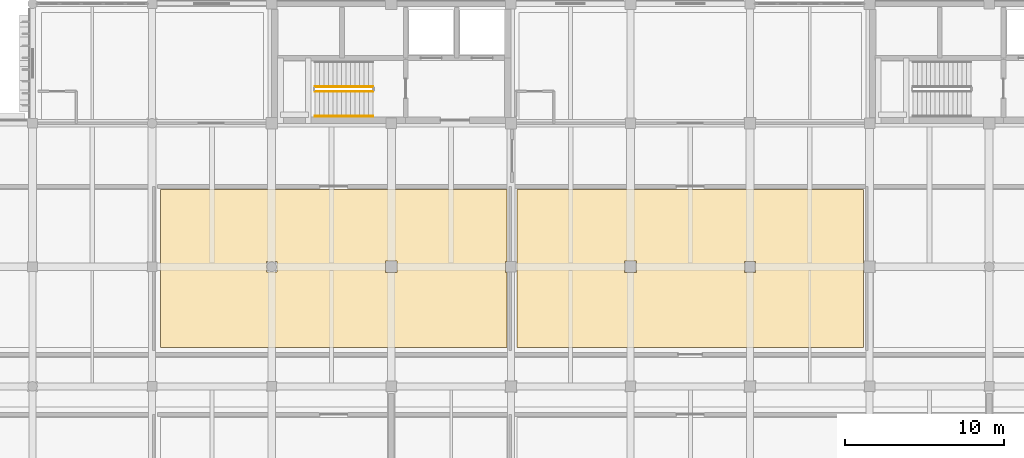
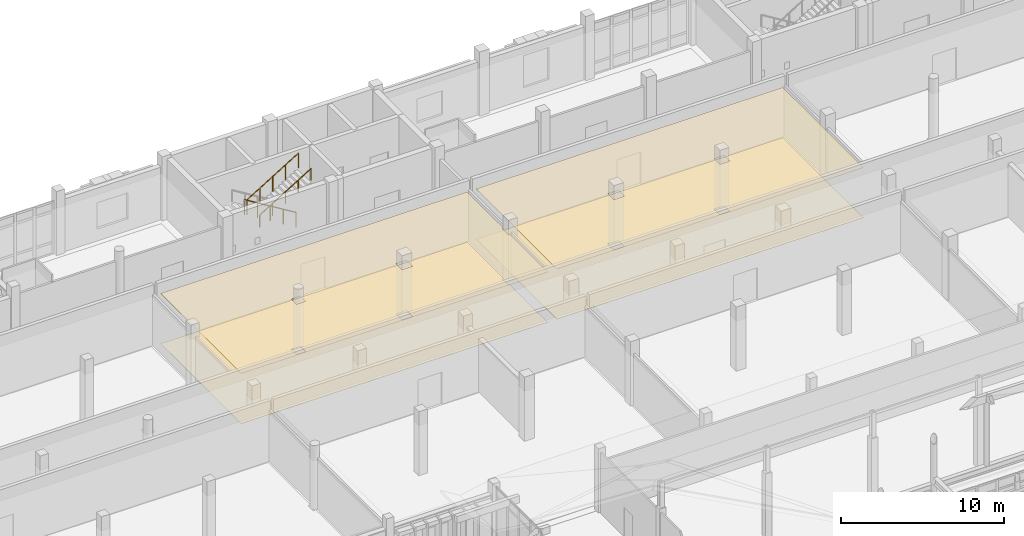
# One storey, part 124 of 131: 4 coverings, 3 railings.
"""IFC4 building model written with IfcOpenShell, lengths in metres."""

import ifcopenshell
import ifcopenshell.guid

model = None  # the IFC model being written
_history = None  # IfcOwnerHistory: only IFC2X3 demands one
_inside = {}  # id of a spatial element -> (the spatial element, [elements in it])
_under = {}  # id of a project, library or spatial element -> (it, [spatial elements below it])
_declared = {}  # id of a project -> (the project, [libraries it declares])
_typed = {}  # id of a type object -> (the type object, [elements of that type])
_made_of = {}  # id of a material, layer set ... -> (it, [elements and type objects made of it])


def new_model(schema):
    """Start an empty IFC model of exactly this schema.

    Asked for "IFC4X3", IfcOpenShell would pick the latest addendum, in which some entities
    have other attributes; the version numbers below select the first issue.
    IFC2X3 requires an IfcOwnerHistory on every rooted entity: one is made here for all.
    """
    global model, _history
    if schema == "IFC4X3":
        model = ifcopenshell.file(schema_version=(4, 3, 0, 0))
    else:
        model = ifcopenshell.file(schema=schema)
    _inside.clear()
    _under.clear()
    _declared.clear()
    _typed.clear()
    _made_of.clear()
    _history = None
    if model.schema == "IFC2X3":
        org = make("IfcOrganization", Name="unknown")
        user = make(
            "IfcPersonAndOrganization",
            ThePerson=make("IfcPerson", FamilyName="unknown"),
            TheOrganization=org,
        )
        app = make(
            "IfcApplication",
            ApplicationDeveloper=org,
            Version="unknown",
            ApplicationFullName="unknown",
            ApplicationIdentifier="unknown",
        )
        _history = make(
            "IfcOwnerHistory",
            OwningUser=user,
            OwningApplication=app,
            ChangeAction="ADDED",
            CreationDate=0,
        )
    return model


def make(cls, **values):
    """One entity of the class cls with the attributes given. An attribute that is None is left unset."""
    return model.create_entity(
        cls, **{name: value for name, value in values.items() if value is not None}
    )


def rooted(cls, **values):
    """An entity with a GlobalId (a new one), such as an element, a storey or a relation."""
    return make(cls, GlobalId=ifcopenshell.guid.new(), OwnerHistory=_history, **values)


def si_unit(unit_type, name, prefix=None):
    """IfcSIUnit, for example si_unit("LENGTHUNIT", "METRE", prefix="MILLI")."""
    return make("IfcSIUnit", UnitType=unit_type, Prefix=prefix, Name=name)


def assignment(units):
    """IfcUnitAssignment: the units of a project."""
    return None if units is None else make("IfcUnitAssignment", Units=units)


def point(xyz):
    """IfcCartesianPoint."""
    return None if xyz is None else make("IfcCartesianPoint", Coordinates=xyz)


def direction(xyz):
    """IfcDirection."""
    return None if xyz is None else make("IfcDirection", DirectionRatios=xyz)


def frame(location, z_axis=None, x_axis=None):
    """IfcAxis2Placement3D, a coordinate frame: its origin and axes. An axis left out is left unset."""
    return make(
        "IfcAxis2Placement3D",
        Location=point(location),
        Axis=direction(z_axis),
        RefDirection=direction(x_axis),
    )


def frame_2d(location, x_axis=None):
    """IfcAxis2Placement2D, a coordinate frame in the plane: its origin and x axis."""
    return make(
        "IfcAxis2Placement2D", Location=point(location), RefDirection=direction(x_axis)
    )


def origin():
    """The frame at (0, 0, 0) with its axes left unset."""
    return frame((0.0, 0.0, 0.0))


def origin_2d():
    """The frame at (0, 0) in the plane with its x axis left unset."""
    return frame_2d((0.0, 0.0))


def place(relative_to, where):
    """IfcLocalPlacement: puts the frame where relative to a parent placement (None: the world)."""
    return make(
        "IfcLocalPlacement", PlacementRelTo=relative_to, RelativePlacement=where
    )


def context(
    kind, dimensions, precision=None, world=None, true_north=None, identifier=None
):
    """IfcGeometricRepresentationContext, for example the 3D "Model" context."""
    return make(
        "IfcGeometricRepresentationContext",
        ContextIdentifier=identifier,
        ContextType=kind,
        CoordinateSpaceDimension=dimensions,
        Precision=precision,
        WorldCoordinateSystem=world,
        TrueNorth=true_north,
    )


def subcontext(parent, identifier, kind, view, scale=None):
    """IfcGeometricRepresentationSubContext, for example "Body" below "Model"."""
    return make(
        "IfcGeometricRepresentationSubContext",
        ContextIdentifier=identifier,
        ContextType=kind,
        ParentContext=parent,
        TargetScale=scale,
        TargetView=view,
    )


def project(units=None, contexts=None):
    """IfcProject with its units and contexts."""
    return rooted(
        "IfcProject",
        Name="project",
        RepresentationContexts=contexts,
        UnitsInContext=assignment(units),
    )


def spatial(cls, under=None, at=None, **own):
    """A site, building, storey or space (cls), placed at a placement, below another one or the project."""
    s = rooted(cls, ObjectPlacement=at, **own)
    if under is not None:
        _under.setdefault(under.id(), (under, []))[1].append(s)
    return s


def polyline(points):
    """IfcPolyline through the points."""
    return make("IfcPolyline", Points=[point(p) for p in points])


def profile(cls, at=None, kind="AREA", **sizes):
    """A parametric profile (cls). Its sizes go by their IFC names, for example OverallWidth=200.0."""
    return make(cls, ProfileType=kind, Position=at, **sizes)


def circle(**sizes):
    """IfcCircleProfileDef."""
    return profile("IfcCircleProfileDef", **sizes)


def outline(outer, holes=None, kind="AREA"):
    """IfcArbitraryClosedProfileDef: a profile drawn as a closed curve; with holes, ...WithVoids."""
    if holes is None:
        return make("IfcArbitraryClosedProfileDef", ProfileType=kind, OuterCurve=outer)
    return make(
        "IfcArbitraryProfileDefWithVoids",
        ProfileType=kind,
        OuterCurve=outer,
        InnerCurves=holes,
    )


def extrude(swept, where, along, depth):
    """IfcExtrudedAreaSolid: the profile swept, set in the frame where, extruded along a direction by depth."""
    return make(
        "IfcExtrudedAreaSolid",
        SweptArea=swept,
        Position=where,
        ExtrudedDirection=direction(along),
        Depth=depth,
    )


def shape(context_of_items, identifier, shape_type, items):
    """IfcShapeRepresentation: the items that make up one representation, for example the "Body"."""
    return make(
        "IfcShapeRepresentation",
        ContextOfItems=context_of_items,
        RepresentationIdentifier=identifier,
        RepresentationType=shape_type,
        Items=items,
    )


def material(Name=None, Category=None):
    """IfcMaterial."""
    return make("IfcMaterial", Name=Name, Category=Category)


def layer(
    of_material, thickness, ventilated=None, Name=None, Category=None, Priority=None
):
    """IfcMaterialLayer: one layer of a wall or slab, of a material (None: an air gap)."""
    return make(
        "IfcMaterialLayer",
        Material=of_material,
        LayerThickness=thickness,
        IsVentilated=ventilated,
        Name=Name,
        Category=Category,
        Priority=Priority,
    )


def layer_set(layers, Name=None):
    """IfcMaterialLayerSet."""
    return make("IfcMaterialLayerSet", MaterialLayers=layers, LayerSetName=Name)


def made_of(thing, what):
    """Note that an element or type object is made of a material, layer set ...; save() writes the relation."""
    if what is not None:
        _made_of.setdefault(what.id(), (what, []))[1].append(thing)
    return thing


def type_object(cls, material=None, **own):
    """A type object (cls), such as IfcWallType, which elements share."""
    return made_of(rooted(cls, **own), material)


def element(
    cls,
    number,
    at=None,
    inside=None,
    cuts=None,
    type_object=None,
    material=None,
    context=None,
    identifier="Body",
    shape_type=None,
    held_by="IfcProductDefinitionShape",
    body=None,
    shapes=None,
    **own,
):
    """One element of the class cls, such as IfcWall. Its Tag is "e" and its number.

    at: its placement. inside: the storey or other place that contains it. cuts: it is an
    opening in that element (IfcRelVoidsElement). A single representation is given by context,
    identifier, shape_type and body (its items); several are given by shapes. held_by: the class
    of the entity that holds the representations. save() writes the other relations.
    """
    e = rooted(cls, Tag="e%d" % number, ObjectPlacement=at, **own)
    if body is not None:
        shapes = [shape(context, identifier, shape_type, body)]
    if shapes is not None:
        e.Representation = make(held_by, Representations=shapes)
    if inside is not None:
        _inside.setdefault(inside.id(), (inside, []))[1].append(e)
    if cuts is not None:
        rooted(
            "IfcRelVoidsElement", RelatingBuildingElement=cuts, RelatedOpeningElement=e
        )
    if type_object is not None:
        _typed.setdefault(type_object.id(), (type_object, []))[1].append(e)
    return made_of(e, material)


def aggregate(whole, parts):
    """IfcRelAggregates: a whole, such as a stair, and the parts it consists of."""
    return rooted("IfcRelAggregates", RelatingObject=whole, RelatedObjects=parts)


def save(model, path):
    """Write the relations noted so far, then the file.

    IfcRelAggregates (storeys below a building ...), IfcRelContainedInSpatialStructure (elements
    in a storey), IfcRelDefinesByType, IfcRelAssociatesMaterial and IfcRelDeclares: one each for
    every whole, place, type object, material and project.
    """
    for whole, parts in _under.values():
        aggregate(whole, parts)
    for where, things in _inside.values():
        rooted(
            "IfcRelContainedInSpatialStructure",
            RelatedElements=things,
            RelatingStructure=where,
        )
    for kind, things in _typed.values():
        rooted("IfcRelDefinesByType", RelatedObjects=things, RelatingType=kind)
    for what, things in _made_of.values():
        rooted("IfcRelAssociatesMaterial", RelatedObjects=things, RelatingMaterial=what)
    for by, libraries in _declared.values():
        rooted("IfcRelDeclares", RelatingContext=by, RelatedDefinitions=libraries)
    model.write(path)


model = new_model("IFC4")

# Units and contexts
model_context = context("Model", 3, precision=1e-05, world=origin(), true_north=direction((0.0, 1.0)))
body_context = subcontext(model_context, "Body", "Model", "MODEL_VIEW")
ifc_project = project(units=[si_unit("LENGTHUNIT", "METRE"), si_unit("AREAUNIT", "SQUARE_METRE"), si_unit("VOLUMEUNIT", "CUBIC_METRE"), si_unit("PLANEANGLEUNIT", "RADIAN"), si_unit("MASSUNIT", "GRAM", prefix="KILO")], contexts=[model_context])

# Site, building, storey
site_placement = place(None, origin())
site = spatial("IfcSite", under=ifc_project, at=site_placement, CompositionType="ELEMENT")
building_placement = place(site_placement, origin())
building = spatial("IfcBuilding", under=site, at=building_placement, Name="Dalvernix Boulevard General Hospital", CompositionType="ELEMENT")
storey_placement = place(building_placement, frame((0.0, 0.0, 9.300048828125)))
storey = spatial("IfcBuildingStorey", under=building, at=storey_placement, Name="L02", CompositionType="ELEMENT", Elevation=9.300048828125)

# Coverings
ifc_material_1 = material(Name="Antimicrobial acoustic mineral-fibre suspended ceiling")
ifc_layer_1 = layer(ifc_material_1, 0.02490234375)
ifc_layer_set_1 = layer_set([ifc_layer_1], Name="Antimicrobial acoustic mineral-fibre suspended ceiling (COV-CEIL-01)")
covering_type_1 = type_object("IfcCoveringType", Name="COV-CEIL-01", PredefinedType="CEILING", material=ifc_layer_set_1)
covering_1_placement = place(storey_placement, frame((0.0, 0.0, 3.7548828125)))
element("IfcCovering", 1, at=covering_1_placement, inside=storey, type_object=covering_type_1, Name="L02 Operating Theatre 02 hygienic suspended ceiling", PredefinedType="CEILING", context=body_context, shape_type="SweptSolid", body=[
    extrude(outline(polyline([(74.75, 105.35009765625), (74.75, 100.844970703125), (74.655029296875, 100.844970703125), (74.655029296875, 100.155029296875), (74.75, 100.155029296875), (74.75, 95.449951171875), (53.030029296875, 95.449951171875), (53.030029296875, 105.35009765625), (74.75, 105.35009765625)]), holes=[polyline([(59.679931640625, 100.179931640625), (60.320068359375, 100.179931640625), (60.320068359375, 100.820068359375), (59.679931640625, 100.820068359375), (59.679931640625, 100.179931640625)]), polyline([(67.1298828125, 100.8701171875), (67.1298828125, 100.1298828125), (67.8701171875, 100.1298828125), (67.8701171875, 100.8701171875), (67.1298828125, 100.8701171875)])]), origin(), (0.0, 0.0, 1.0), 0.025146484375),
])
covering_2_placement = place(storey_placement, frame((0.0, 0.0, 3.7548828125)))
element("IfcCovering", 2, at=covering_2_placement, inside=storey, type_object=covering_type_1, Name="L02 Operating Theatre 03 hygienic suspended ceiling", PredefinedType="CEILING", context=body_context, shape_type="SweptSolid", body=[
    extrude(outline(polyline([(97.110107421875, 105.35009765625), (97.110107421875, 95.449951171875), (75.389892578125, 95.449951171875), (75.389892578125, 105.35009765625), (97.110107421875, 105.35009765625)]), holes=[polyline([(82.1298828125, 100.1298828125), (82.8701171875, 100.1298828125), (82.8701171875, 100.8701171875), (82.1298828125, 100.8701171875), (82.1298828125, 100.1298828125)]), polyline([(89.655029296875, 100.844970703125), (89.655029296875, 100.155029296875), (90.344970703125, 100.155029296875), (90.344970703125, 100.844970703125), (89.655029296875, 100.844970703125)])]), origin(), (0.0, 0.0, 1.0), 0.025146484375),
])
ifc_material_2 = material(Name="Seamless welded medical vinyl and polished terrazzo flooring")
ifc_layer_2 = layer(ifc_material_2, 0.014892578125)
ifc_layer_set_2 = layer_set([ifc_layer_2], Name="Seamless welded medical vinyl and polished terrazzo flooring (COV-FLR-01)")
covering_type_2 = type_object("IfcCoveringType", Name="COV-FLR-01", PredefinedType="FLOORING", material=ifc_layer_set_2)
covering_3_placement = place(storey_placement, origin())
element("IfcCovering", 3, at=covering_3_placement, inside=storey, type_object=covering_type_2, Name="L02 Operating Theatre 02 seamless clinical flooring", PredefinedType="FLOORING", context=body_context, shape_type="SweptSolid", body=[
    extrude(outline(polyline([(74.75, 105.35009765625), (74.75, 100.844970703125), (74.655029296875, 100.844970703125), (74.655029296875, 100.155029296875), (74.75, 100.155029296875), (74.75, 95.449951171875), (53.030029296875, 95.449951171875), (53.030029296875, 105.35009765625), (74.75, 105.35009765625)]), holes=[polyline([(59.679931640625, 100.179931640625), (60.320068359375, 100.179931640625), (60.320068359375, 100.820068359375), (59.679931640625, 100.820068359375), (59.679931640625, 100.179931640625)]), polyline([(67.1298828125, 100.8701171875), (67.1298828125, 100.1298828125), (67.8701171875, 100.1298828125), (67.8701171875, 100.8701171875), (67.1298828125, 100.8701171875)])]), origin(), (0.0, 0.0, 1.0), 0.014892578125),
])
covering_4_placement = place(storey_placement, origin())
element("IfcCovering", 4, at=covering_4_placement, inside=storey, type_object=covering_type_2, Name="L02 Operating Theatre 03 seamless clinical flooring", PredefinedType="FLOORING", context=body_context, shape_type="SweptSolid", body=[
    extrude(outline(polyline([(97.110107421875, 105.35009765625), (97.110107421875, 95.449951171875), (75.389892578125, 95.449951171875), (75.389892578125, 105.35009765625), (97.110107421875, 105.35009765625)]), holes=[polyline([(82.1298828125, 100.1298828125), (82.8701171875, 100.1298828125), (82.8701171875, 100.8701171875), (82.1298828125, 100.8701171875), (82.1298828125, 100.1298828125)]), polyline([(89.655029296875, 100.844970703125), (89.655029296875, 100.155029296875), (90.344970703125, 100.155029296875), (90.344970703125, 100.844970703125), (89.655029296875, 100.844970703125)])]), origin(), (0.0, 0.0, 1.0), 0.014892578125),
])

# Railings
ifc_material_3 = material(Name="Brushed stainless steel balustrade", Category="steel")
railing_type_1 = type_object("IfcRailingType", Name="RL-GR-INT1", PredefinedType="BALUSTRADE", material=ifc_material_3)
railing_1_placement = place(storey_placement, frame((66.35009765625, 111.800048828125, 0.17138671875)))
element("IfcRailing", 5, at=railing_1_placement, inside=storey, type_object=railing_type_1, Name="L02 ST-03 stair guard 1", PredefinedType="BALUSTRADE", context=body_context, shape_type="SweptSolid", body=[
    extrude(circle(Radius=0.02392578125, at=origin_2d()), frame((0.0, 0.0, 1.09619140625), z_axis=(-0.852865859571, 0.0, 0.52213008492), x_axis=(0.0, -1.0, 0.0)), (0.0, 0.0, 1.0), 4.26806640625),
    extrude(circle(Radius=0.02099609375, at=origin_2d()), origin(), (0.0, 0.0, 1.0), 1.072021484375),
    extrude(circle(Radius=0.02099609375, at=origin_2d()), frame((-0.91015625, 0.0, 0.55712890625)), (0.0, 0.0, 1.0), 1.072021484375),
    extrude(circle(Radius=0.02099609375, at=origin_2d()), frame((-1.820068359375, 0.0, 1.1142578125)), (0.0, 0.0, 1.0), 1.072021484375),
    extrude(circle(Radius=0.02099609375, at=origin_2d()), frame((-2.72998046875, 0.0, 1.67138671875)), (0.0, 0.0, 1.0), 1.072021484375),
    extrude(circle(Radius=0.02099609375, at=origin_2d()), frame((-3.64013671875, 0.0, 2.228515625)), (0.0, 0.0, 1.0), 1.072021484375),
])
railing_2_placement = place(storey_placement, frame((62.7099609375, 111.5, 2.5712890625)))
element("IfcRailing", 6, at=railing_2_placement, inside=storey, type_object=railing_type_1, Name="L02 ST-03 stair guard 3", PredefinedType="BALUSTRADE", context=body_context, shape_type="SweptSolid", body=[
    extrude(circle(Radius=0.02392578125, at=origin_2d()), frame((0.0, 0.0, 1.09619140625), z_axis=(0.852840387347, 0.0, 0.522171689878), x_axis=(0.0, 1.0, 0.0)), (0.0, 0.0, 1.0), 4.268310546875),
    extrude(circle(Radius=0.02099609375, at=origin_2d()), origin(), (0.0, 0.0, 1.0), 1.072021484375),
    extrude(circle(Radius=0.02099609375, at=origin_2d()), frame((0.91015625, 0.0, 0.55712890625)), (0.0, 0.0, 1.0), 1.072021484375),
    extrude(circle(Radius=0.02099609375, at=origin_2d()), frame((1.820068359375, 0.0, 1.1142578125)), (0.0, 0.0, 1.0), 1.072021484375),
    extrude(circle(Radius=0.02099609375, at=origin_2d()), frame((2.72998046875, 0.0, 1.671630859375)), (0.0, 0.0, 1.0), 1.072021484375),
    extrude(circle(Radius=0.02099609375, at=origin_2d()), frame((3.64013671875, 0.0, 2.228759765625)), (0.0, 0.0, 1.0), 1.072021484375),
])
ifc_material_4 = material(Name="Brushed stainless steel wall handrail", Category="steel")
railing_type_2 = type_object("IfcRailingType", Name="RL-HR-INT1", PredefinedType="HANDRAIL", material=ifc_material_4)
railing_3_placement = place(storey_placement, frame((62.7099609375, 109.949951171875, 2.5712890625)))
element("IfcRailing", 7, at=railing_3_placement, inside=storey, type_object=railing_type_2, Name="L02 ST-03 stair handrail 2", PredefinedType="HANDRAIL", context=body_context, shape_type="SweptSolid", body=[
    extrude(circle(Radius=0.02392578125, at=origin_2d()), frame((0.0, 0.0, 0.8759765625), z_axis=(0.852840387347, 0.0, 0.522171689878), x_axis=(0.0, 1.0, 0.0)), (0.0, 0.0, 1.0), 4.268310546875),
    extrude(circle(Radius=0.02099609375, at=origin_2d()), origin(), (0.0, 0.0, 1.0), 0.851806640625),
    extrude(circle(Radius=0.02099609375, at=origin_2d()), frame((0.91015625, 0.0, 0.55712890625)), (0.0, 0.0, 1.0), 0.851806640625),
    extrude(circle(Radius=0.02099609375, at=origin_2d()), frame((1.820068359375, 0.0, 1.1142578125)), (0.0, 0.0, 1.0), 0.851806640625),
    extrude(circle(Radius=0.02099609375, at=origin_2d()), frame((2.72998046875, 0.0, 1.671630859375)), (0.0, 0.0, 1.0), 0.851806640625),
    extrude(circle(Radius=0.02099609375, at=origin_2d()), frame((3.64013671875, 0.0, 2.228759765625)), (0.0, 0.0, 1.0), 0.851806640625),
])

save(model, "model.ifc")
